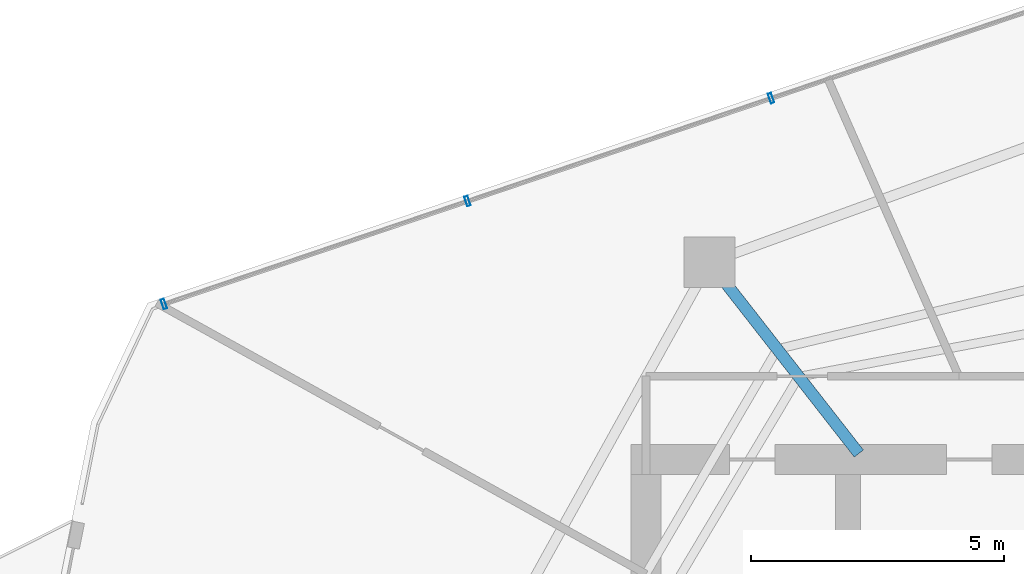
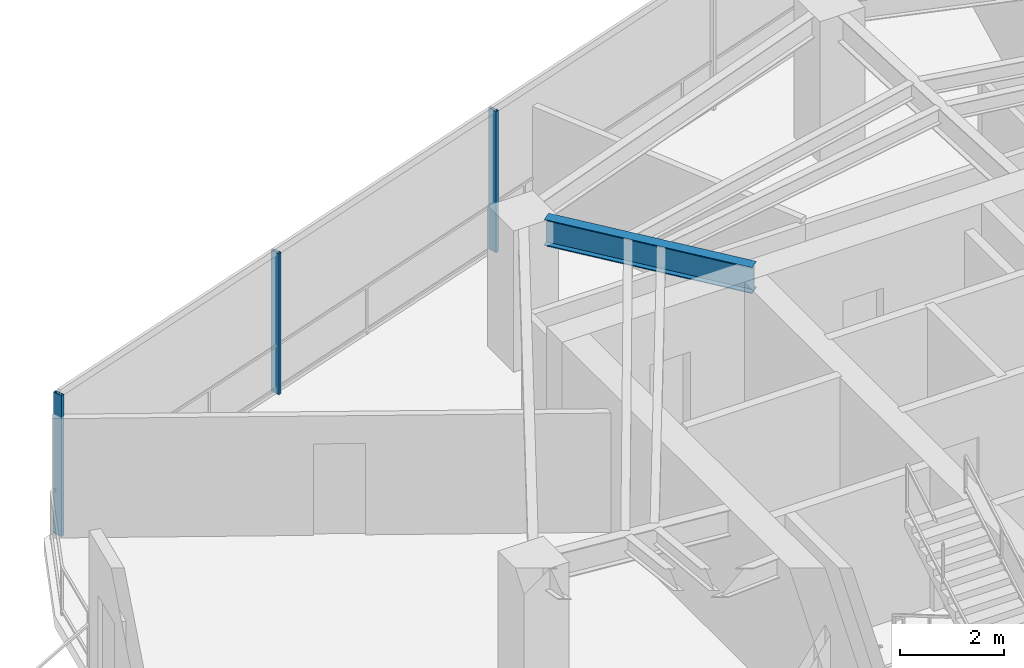
# One storey, part 11 of 20: 3 members, 1 beam, 1 element without a shape of its own.
"""IFC4 building model written with IfcOpenShell, lengths in metres."""

from ifc_helpers import new_model, si_unit, direction, frame, origin, origin_2d, place, context, subcontext, project, spatial, hollow_rectangle, i_section, extrude, material, layer, layer_set, material_profile, profile_set, type_object, element, aggregate, save


model = new_model("IFC4")

# Units and contexts
model_context = context("Model", 3, precision=1e-05, world=origin(), true_north=direction((0.0, 1.0)))
body_context = subcontext(model_context, "Body", "Model", "MODEL_VIEW")
ifc_project = project(units=[si_unit("LENGTHUNIT", "METRE"), si_unit("AREAUNIT", "SQUARE_METRE"), si_unit("VOLUMEUNIT", "CUBIC_METRE"), si_unit("PLANEANGLEUNIT", "RADIAN"), si_unit("MASSUNIT", "GRAM", prefix="KILO")], contexts=[model_context])

# Site, building, storey
site_placement = place(None, origin())
site = spatial("IfcSite", under=ifc_project, at=site_placement, CompositionType="ELEMENT")
building_placement = place(site_placement, origin())
building = spatial("IfcBuilding", under=site, at=building_placement, Name="Qarnah Convention Tower", CompositionType="ELEMENT")
storey_placement = place(building_placement, frame((0.0, 0.0, 136.5)))
storey = spatial("IfcBuildingStorey", under=building, at=storey_placement, Name="L36", CompositionType="ELEMENT", Elevation=136.5)

# Beam
ifc_material_1 = material(Name="Structural steel S355JR", Category="steel")
ifc_material_profile_1 = material_profile(ifc_material_1, i_section(OverallWidth=0.22998046875, OverallDepth=0.617919921875, WebThickness=0.012939453125, FlangeThickness=0.02197265625, at=origin_2d()), Name="W610X140")
ifc_profile_set_1 = profile_set([ifc_material_profile_1], Name="Structural steel S355JR")
beam_type = type_object("IfcBeamType", Name="BM-RAD-W610A", PredefinedType="BEAM", material=ifc_profile_set_1)
beam_placement = place(storey_placement, frame((31.013916015625, 34.318115234375, 3.010986328125), z_axis=(-0.615636368947, 0.788030368215, 0.0), x_axis=(-0.788030368215, -0.615636368947, 0.0)))
element("IfcBeam", 1, at=beam_placement, inside=storey, type_object=beam_type, Name="L36 beam BM-L36-RAD-04", PredefinedType="BEAM", context=body_context, shape_type="SweptSolid", body=[
    extrude(i_section(OverallWidth=0.22998046875, OverallDepth=0.617919921875, WebThickness=0.012939453125, FlangeThickness=0.02197265625, at=origin_2d()), origin(), (0.0, 0.0, 1.0), 4.322265625),
])

# Curtain wall, members
ifc_material_2 = material(Name="Tempered Low-E dark glass", Category="glass")
ifc_layer = layer(ifc_material_2, 0.172119140625)
ifc_layer_set = layer_set([ifc_layer], Name="Tempered Low-E dark glass")
curtain_wall_type = type_object("IfcCurtainWallType", Name="CWS-03", PredefinedType="NOTDEFINED", material=ifc_layer_set)
curtain_wall_placement = place(storey_placement, origin())
curtain_wall = element("IfcCurtainWall", 2, at=curtain_wall_placement, inside=storey, type_object=curtain_wall_type, Name="L36 unitised curtain wall CW-L36-F3", PredefinedType="NOTDEFINED")
ifc_material_3 = material(Name="Black anodised aluminium", Category="aluminium")
ifc_material_profile_2 = material_profile(ifc_material_3, hollow_rectangle(XDim=0.070068359375, YDim=0.199951171875, WallThickness=0.0048828125, at=origin_2d()), Name="MUL-70X200")
ifc_profile_set_2 = profile_set([ifc_material_profile_2], Name="Black anodised aluminium")
member_type = type_object("IfcMemberType", Name="MUL-T3", PredefinedType="MULLION", material=ifc_profile_set_2)
member_1_placement = place(storey_placement, frame((17.25390625, 37.279052734375, 0.0), z_axis=(0.0, 0.0, 1.0), x_axis=(0.947092669717, 0.320960238921, 0.0)))
member_1 = element("IfcMember", 3, at=member_1_placement, type_object=member_type, Name="CW-L36-F3 mullion 1", PredefinedType="MULLION", context=body_context, shape_type="SweptSolid", body=[
    extrude(hollow_rectangle(XDim=0.070068359375, YDim=0.199951171875, WallThickness=0.0048828125, at=origin_2d()), origin(), (0.0, 0.0, 1.0), 3.320068359375),
])
member_2_placement = place(storey_placement, frame((23.264892578125, 39.31591796875, 0.0), z_axis=(0.0, 0.0, 1.0), x_axis=(0.947092669717, 0.320960238921, 0.0)))
member_2 = element("IfcMember", 4, at=member_2_placement, type_object=member_type, Name="CW-L36-F3 mullion 2", PredefinedType="MULLION", context=body_context, shape_type="SweptSolid", body=[
    extrude(hollow_rectangle(XDim=0.070068359375, YDim=0.199951171875, WallThickness=0.0048828125, at=origin_2d()), origin(), (0.0, 0.0, 1.0), 3.320068359375),
])
member_3_placement = place(storey_placement, frame((29.275634765625, 41.35302734375, 0.0), z_axis=(0.0, 0.0, 1.0), x_axis=(0.947092669717, 0.320960238921, 0.0)))
member_3 = element("IfcMember", 5, at=member_3_placement, type_object=member_type, Name="CW-L36-F3 mullion 3", PredefinedType="MULLION", context=body_context, shape_type="SweptSolid", body=[
    extrude(hollow_rectangle(XDim=0.070068359375, YDim=0.199951171875, WallThickness=0.0048828125, at=origin_2d()), origin(), (0.0, 0.0, 1.0), 3.320068359375),
])
aggregate(curtain_wall, [member_1, member_2, member_3])

save(model, "model.ifc")
